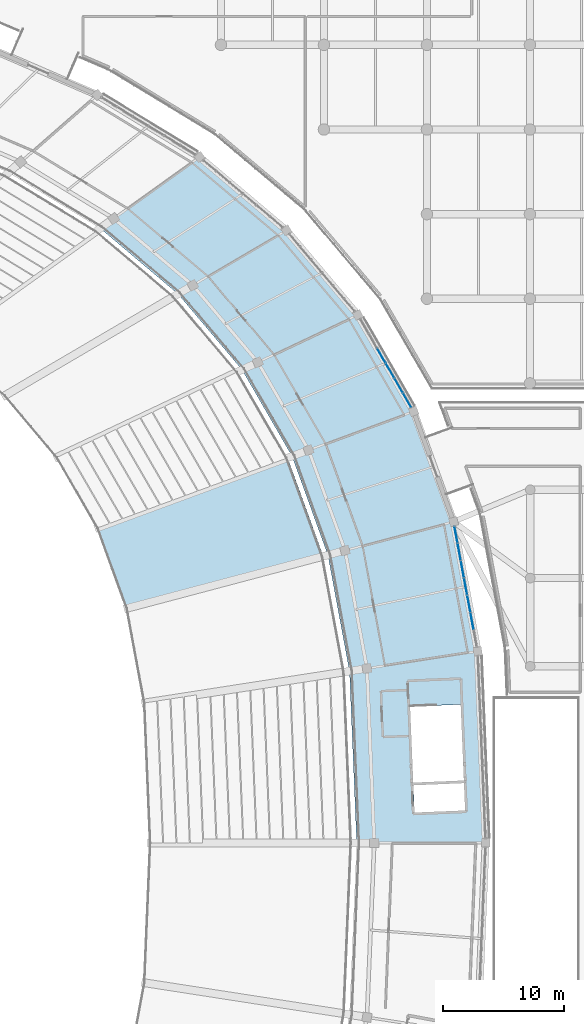
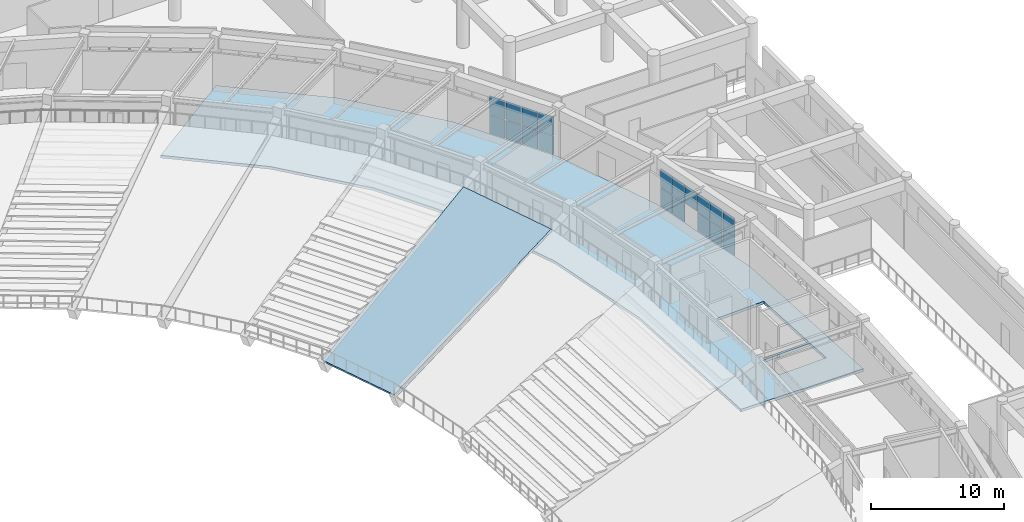
# One storey, part 83 of 137: 19 plates, 2 slabs, 2 elements without a shape of their own.
"""IFC4 building model written with IfcOpenShell, lengths in metres."""

from ifc_helpers import new_model, si_unit, direction, frame, origin, origin_2d, place, context, subcontext, project, spatial, polyline, rectangle, outline, extrude, material, layer, layer_set, type_object, element, aggregate, save


model = new_model("IFC4")

# Units and contexts
model_context = context("Model", 3, precision=1e-05, world=origin(), true_north=direction((0.0, 1.0)))
body_context = subcontext(model_context, "Body", "Model", "MODEL_VIEW")
ifc_project = project(units=[si_unit("LENGTHUNIT", "METRE"), si_unit("AREAUNIT", "SQUARE_METRE"), si_unit("VOLUMEUNIT", "CUBIC_METRE"), si_unit("PLANEANGLEUNIT", "RADIAN"), si_unit("MASSUNIT", "GRAM", prefix="KILO")], contexts=[model_context])

# Site, building, storey
site_placement = place(None, origin())
site = spatial("IfcSite", under=ifc_project, at=site_placement, CompositionType="ELEMENT")
building_placement = place(site_placement, origin())
building = spatial("IfcBuilding", under=site, at=building_placement, Name="Mphavela Belvedere Stadium", CompositionType="ELEMENT")
storey_placement = place(building_placement, frame((0.0, 0.0, 19.199951171875)))
storey = spatial("IfcBuildingStorey", under=building, at=storey_placement, Name="L04", CompositionType="ELEMENT", Elevation=19.199951171875)

# Curtain wall, plates
ifc_material_1 = material(Name="Anodised bronze unitised curtain wall framing")
ifc_layer_1 = layer(ifc_material_1, 0.205078125)
ifc_layer_set_1 = layer_set([ifc_layer_1], Name="Anodised bronze unitised curtain wall framing")
curtain_wall_type_1 = type_object("IfcCurtainWallType", Name="CW-UNIT-06", PredefinedType="USERDEFINED", material=ifc_layer_set_1)
curtain_wall_1_placement = place(storey_placement, origin())
curtain_wall_1 = element("IfcCurtainWall", 1, at=curtain_wall_1_placement, inside=storey, type_object=curtain_wall_type_1, Name="Belvedere colonnade curtain wall L04-02", ObjectType="UNITISED CURTAIN WALL", PredefinedType="USERDEFINED")
ifc_material_2 = material(Name="Solar-control double glazing", Category="glass")
ifc_layer_2 = layer(ifc_material_2, 0.031982421875)
ifc_layer_set_2 = layer_set([ifc_layer_2], Name="Solar-control double glazing")
plate_type = type_object("IfcPlateType", Name="CWP-SOLAR-GLASS", PredefinedType="CURTAIN_PANEL", material=ifc_layer_set_2)
plate_1_placement = place(storey_placement, frame((216.6923828125, 105.337158203125, 0.06005859375), z_axis=(0.0, 0.0, 1.0), x_axis=(-0.182618040183, 0.98318393569, 0.0)))
plate_1 = element("IfcPlate", 2, at=plate_1_placement, type_object=plate_type, Name="CW-06 panel 2.1", PredefinedType="CURTAIN_PANEL", context=body_context, shape_type="SweptSolid", body=[
    extrude(rectangle(XDim=1.392822265625, YDim=0.031982421875, at=origin_2d()), origin(), (0.0, 0.0, 1.0), 1.695068359375),
])
plate_2_placement = place(storey_placement, frame((216.6923828125, 105.337158203125, 1.81494140625), z_axis=(0.0, 0.0, 1.0), x_axis=(-0.182618040183, 0.98318393569, 0.0)))
plate_2 = element("IfcPlate", 3, at=plate_2_placement, type_object=plate_type, Name="CW-06 panel 2.2", PredefinedType="CURTAIN_PANEL", context=body_context, shape_type="SweptSolid", body=[
    extrude(rectangle(XDim=1.392822265625, YDim=0.031982421875, at=origin_2d()), origin(), (0.0, 0.0, 1.0), 1.695068359375),
])
plate_3_placement = place(storey_placement, frame((216.42626953125, 106.7705078125, 0.06005859375), z_axis=(0.0, 0.0, 1.0), x_axis=(-0.182618040183, 0.98318393569, 0.0)))
plate_3 = element("IfcPlate", 4, at=plate_3_placement, type_object=plate_type, Name="CW-06 panel 3.1", PredefinedType="CURTAIN_PANEL", context=body_context, shape_type="SweptSolid", body=[
    extrude(rectangle(XDim=1.392822265625, YDim=0.031982421875, at=origin_2d()), origin(), (0.0, 0.0, 1.0), 1.695068359375),
])
plate_4_placement = place(storey_placement, frame((216.42626953125, 106.7705078125, 1.81494140625), z_axis=(0.0, 0.0, 1.0), x_axis=(-0.182618040183, 0.98318393569, 0.0)))
plate_4 = element("IfcPlate", 5, at=plate_4_placement, type_object=plate_type, Name="CW-06 panel 3.2", PredefinedType="CURTAIN_PANEL", context=body_context, shape_type="SweptSolid", body=[
    extrude(rectangle(XDim=1.392822265625, YDim=0.031982421875, at=origin_2d()), origin(), (0.0, 0.0, 1.0), 1.695068359375),
])
plate_5_placement = place(storey_placement, frame((216.159912109375, 108.203857421875, 0.06005859375), z_axis=(0.0, 0.0, 1.0), x_axis=(-0.182618040183, 0.98318393569, 0.0)))
plate_5 = element("IfcPlate", 6, at=plate_5_placement, type_object=plate_type, Name="CW-06 panel 4.1", PredefinedType="CURTAIN_PANEL", context=body_context, shape_type="SweptSolid", body=[
    extrude(rectangle(XDim=1.392822265625, YDim=0.031982421875, at=origin_2d()), origin(), (0.0, 0.0, 1.0), 1.695068359375),
])
plate_6_placement = place(storey_placement, frame((216.159912109375, 108.203857421875, 1.81494140625), z_axis=(0.0, 0.0, 1.0), x_axis=(-0.182618040183, 0.98318393569, 0.0)))
plate_6 = element("IfcPlate", 7, at=plate_6_placement, type_object=plate_type, Name="CW-06 panel 4.2", PredefinedType="CURTAIN_PANEL", context=body_context, shape_type="SweptSolid", body=[
    extrude(rectangle(XDim=1.392822265625, YDim=0.031982421875, at=origin_2d()), origin(), (0.0, 0.0, 1.0), 1.695068359375),
])
plate_7_placement = place(storey_placement, frame((215.893798828125, 109.636962890625, 1.81494140625), z_axis=(0.0, 0.0, 1.0), x_axis=(-0.182618040183, 0.98318393569, 0.0)))
plate_7 = element("IfcPlate", 8, at=plate_7_placement, type_object=plate_type, Name="CW-06 panel 5.2", PredefinedType="CURTAIN_PANEL", context=body_context, shape_type="SweptSolid", body=[
    extrude(rectangle(XDim=1.392822265625, YDim=0.031982421875, at=origin_2d()), origin(), (0.0, 0.0, 1.0), 1.695068359375),
])
plate_8_placement = place(storey_placement, frame((215.62744140625, 111.0703125, 0.06005859375), z_axis=(0.0, 0.0, 1.0), x_axis=(-0.182618040183, 0.98318393569, 0.0)))
plate_8 = element("IfcPlate", 9, at=plate_8_placement, type_object=plate_type, Name="CW-06 panel 6.1", PredefinedType="CURTAIN_PANEL", context=body_context, shape_type="SweptSolid", body=[
    extrude(rectangle(XDim=1.392822265625, YDim=0.031982421875, at=origin_2d()), origin(), (0.0, 0.0, 1.0), 1.695068359375),
])
plate_9_placement = place(storey_placement, frame((215.62744140625, 111.0703125, 1.81494140625), z_axis=(0.0, 0.0, 1.0), x_axis=(-0.182618040183, 0.98318393569, 0.0)))
plate_9 = element("IfcPlate", 10, at=plate_9_placement, type_object=plate_type, Name="CW-06 panel 6.2", PredefinedType="CURTAIN_PANEL", context=body_context, shape_type="SweptSolid", body=[
    extrude(rectangle(XDim=1.392822265625, YDim=0.031982421875, at=origin_2d()), origin(), (0.0, 0.0, 1.0), 1.695068359375),
])
plate_10_placement = place(storey_placement, frame((215.3642578125, 112.48779296875, 0.06005859375), z_axis=(0.0, 0.0, 1.0), x_axis=(-0.182618040183, 0.98318393569, 0.0)))
plate_10 = element("IfcPlate", 11, at=plate_10_placement, type_object=plate_type, Name="CW-06 panel 7.1", PredefinedType="CURTAIN_PANEL", context=body_context, shape_type="SweptSolid", body=[
    extrude(rectangle(XDim=1.3603515625, YDim=0.031982421875, at=origin_2d()), origin(), (0.0, 0.0, 1.0), 1.695068359375),
])
plate_11_placement = place(storey_placement, frame((215.3642578125, 112.48779296875, 1.81494140625), z_axis=(0.0, 0.0, 1.0), x_axis=(-0.182618040183, 0.98318393569, 0.0)))
plate_11 = element("IfcPlate", 12, at=plate_11_placement, type_object=plate_type, Name="CW-06 panel 7.2", PredefinedType="CURTAIN_PANEL", context=body_context, shape_type="SweptSolid", body=[
    extrude(rectangle(XDim=1.3603515625, YDim=0.031982421875, at=origin_2d()), origin(), (0.0, 0.0, 1.0), 1.695068359375),
])
aggregate(curtain_wall_1, [plate_1, plate_2, plate_3, plate_4, plate_5, plate_6, plate_7, plate_8, plate_9, plate_10, plate_11])

ifc_material_3 = material(Name="Anodised bronze unitised curtain wall framing")
ifc_layer_3 = layer(ifc_material_3, 0.179931640625)
ifc_layer_set_3 = layer_set([ifc_layer_3], Name="Anodised bronze unitised curtain wall framing")
curtain_wall_type_2 = type_object("IfcCurtainWallType", Name="CW-UNIT-01", PredefinedType="USERDEFINED", material=ifc_layer_set_3)
curtain_wall_2_placement = place(storey_placement, origin())
curtain_wall_2 = element("IfcCurtainWall", 13, at=curtain_wall_2_placement, inside=storey, type_object=curtain_wall_type_2, Name="Belvedere colonnade curtain wall L04-04", ObjectType="UNITISED CURTAIN WALL", PredefinedType="USERDEFINED")
plate_12_placement = place(storey_placement, frame((211.318359375, 123.6123046875, 0.06005859375), z_axis=(0.0, 0.0, 1.0), x_axis=(-0.500555998906, 0.865704159606, 0.0)))
plate_12 = element("IfcPlate", 14, at=plate_12_placement, type_object=plate_type, Name="CW-01 panel 1.1", PredefinedType="CURTAIN_PANEL", context=body_context, shape_type="SweptSolid", body=[
    extrude(rectangle(XDim=1.32275390625, YDim=0.031982421875, at=origin_2d()), origin(), (0.0, 0.0, 1.0), 1.695068359375),
])
plate_13_placement = place(storey_placement, frame((211.318359375, 123.6123046875, 1.81494140625), z_axis=(0.0, 0.0, 1.0), x_axis=(-0.500555998906, 0.865704159606, 0.0)))
plate_13 = element("IfcPlate", 15, at=plate_13_placement, type_object=plate_type, Name="CW-01 panel 1.2", PredefinedType="CURTAIN_PANEL", context=body_context, shape_type="SweptSolid", body=[
    extrude(rectangle(XDim=1.32275390625, YDim=0.031982421875, at=origin_2d()), origin(), (0.0, 0.0, 1.0), 1.695068359375),
])
plate_14_placement = place(storey_placement, frame((210.615478515625, 124.82763671875, 0.06005859375), z_axis=(0.0, 0.0, 1.0), x_axis=(-0.500555998906, 0.865704159606, 0.0)))
plate_14 = element("IfcPlate", 16, at=plate_14_placement, type_object=plate_type, Name="CW-01 panel 2.1", PredefinedType="CURTAIN_PANEL", context=body_context, shape_type="SweptSolid", body=[
    extrude(rectangle(XDim=1.355224609375, YDim=0.031982421875, at=origin_2d()), origin(), (0.0, 0.0, 1.0), 1.695068359375),
])
plate_15_placement = place(storey_placement, frame((210.615478515625, 124.82763671875, 1.81494140625), z_axis=(0.0, 0.0, 1.0), x_axis=(-0.500555998906, 0.865704159606, 0.0)))
plate_15 = element("IfcPlate", 17, at=plate_15_placement, type_object=plate_type, Name="CW-01 panel 2.2", PredefinedType="CURTAIN_PANEL", context=body_context, shape_type="SweptSolid", body=[
    extrude(rectangle(XDim=1.355224609375, YDim=0.031982421875, at=origin_2d()), origin(), (0.0, 0.0, 1.0), 1.695068359375),
])
plate_16_placement = place(storey_placement, frame((209.90478515625, 126.05712890625, 0.06005859375), z_axis=(0.0, 0.0, 1.0), x_axis=(-0.500555998906, 0.865704159606, 0.0)))
plate_16 = element("IfcPlate", 18, at=plate_16_placement, type_object=plate_type, Name="CW-01 panel 3.1", PredefinedType="CURTAIN_PANEL", context=body_context, shape_type="SweptSolid", body=[
    extrude(rectangle(XDim=1.355224609375, YDim=0.031982421875, at=origin_2d()), origin(), (0.0, 0.0, 1.0), 1.695068359375),
])
plate_17_placement = place(storey_placement, frame((209.90478515625, 126.05712890625, 1.81494140625), z_axis=(0.0, 0.0, 1.0), x_axis=(-0.500555998906, 0.865704159606, 0.0)))
plate_17 = element("IfcPlate", 19, at=plate_17_placement, type_object=plate_type, Name="CW-01 panel 3.2", PredefinedType="CURTAIN_PANEL", context=body_context, shape_type="SweptSolid", body=[
    extrude(rectangle(XDim=1.355224609375, YDim=0.031982421875, at=origin_2d()), origin(), (0.0, 0.0, 1.0), 1.695068359375),
])
plate_18_placement = place(storey_placement, frame((209.19384765625, 127.28662109375, 0.06005859375), z_axis=(0.0, 0.0, 1.0), x_axis=(-0.500555998906, 0.865704159606, 0.0)))
plate_18 = element("IfcPlate", 20, at=plate_18_placement, type_object=plate_type, Name="CW-01 panel 4.1", PredefinedType="CURTAIN_PANEL", context=body_context, shape_type="SweptSolid", body=[
    extrude(rectangle(XDim=1.355224609375, YDim=0.031982421875, at=origin_2d()), origin(), (0.0, 0.0, 1.0), 1.695068359375),
])
plate_19_placement = place(storey_placement, frame((209.19384765625, 127.28662109375, 1.81494140625), z_axis=(0.0, 0.0, 1.0), x_axis=(-0.500555998906, 0.865704159606, 0.0)))
plate_19 = element("IfcPlate", 21, at=plate_19_placement, type_object=plate_type, Name="CW-01 panel 4.2", PredefinedType="CURTAIN_PANEL", context=body_context, shape_type="SweptSolid", body=[
    extrude(rectangle(XDim=1.355224609375, YDim=0.031982421875, at=origin_2d()), origin(), (0.0, 0.0, 1.0), 1.695068359375),
])
aggregate(curtain_wall_2, [plate_12, plate_13, plate_14, plate_15, plate_16, plate_17, plate_18, plate_19])

# Slabs
ifc_material_4 = material(Name="Concrete C40/50", Category="concrete")
ifc_layer_4 = layer(ifc_material_4, 0.25)
ifc_layer_set_4 = layer_set([ifc_layer_4], Name="Concrete C40/50")
slab_type_1 = type_object("IfcSlabType", Name="SLB-CONCOURSE-250", PredefinedType="FLOOR", material=ifc_layer_set_4)
slab_1_placement = place(storey_placement, frame((0.0, 0.0, -0.25)))
element("IfcSlab", 22, at=slab_1_placement, inside=storey, type_object=slab_type_1, Name="Concourse sector slab L04-S1", PredefinedType="FLOOR", context=body_context, shape_type="SweptSolid", body=[
    extrude(outline(polyline([(194.155517578125, 143.714599609375), (201.33837890625, 137.653564453125), (207.242431640625, 130.66162109375), (211.856201171875, 122.682373046875), (215.16455078125, 113.5625), (217.155517578125, 102.844970703125), (217.820068359375, 87.0), (207.14990234375, 87.0), (206.554443359375, 101.20068359375), (204.770263671875, 110.805908203125), (201.804931640625, 118.9794921875), (197.670166015625, 126.130615234375), (192.378662109375, 132.39697265625), (185.94140625, 137.8291015625), (194.155517578125, 143.714599609375)]), holes=[polyline([(216.014892578125, 92.157958984375), (215.751220703125, 98.448486328125), (211.56494140625, 98.27294921875), (211.82861328125, 91.982421875), (216.014892578125, 92.157958984375)]), polyline([(216.11865234375, 89.68017578125), (216.02392578125, 91.938232421875), (211.837646484375, 91.7626953125), (211.932373046875, 89.504638671875), (216.11865234375, 89.68017578125)])]), origin(), (0.0, 0.0, 1.0), 0.25),
])
ifc_material_5 = material(Name="Precast concrete C45/55", Category="concrete")
ifc_layer_5 = layer(ifc_material_5, 0.25)
ifc_layer_set_5 = layer_set([ifc_layer_5], Name="Precast concrete C45/55")
slab_type_2 = type_object("IfcSlabType", Name="SLB-TIER-UPPER", PredefinedType="USERDEFINED", material=ifc_layer_set_5)
slab_2_placement = place(storey_placement, frame((188.13916015625, 106.3955078125, -3.75), z_axis=(-0.364303562407, -0.132165132408, 0.921854268414), x_axis=(-0.341054048272, 0.940043688406, -6.732313e-06)))
element("IfcSlab", 23, at=slab_2_placement, inside=storey, type_object=slab_type_2, Name="Upper seating tier slab L04-03", ObjectType="SEATING TIER", PredefinedType="USERDEFINED", context=body_context, shape_type="SweptSolid", body=[
    extrude(outline(polyline([(0.0, 0.0), (7.083911744790468, 0.0), (7.166113396888669, -18.06292905996507), (-1.482716893265294, -18.062655749768563), (0.0, 0.0)])), origin(), (0.0, 0.0, -1.0), 0.25),
])

save(model, "model.ifc")
